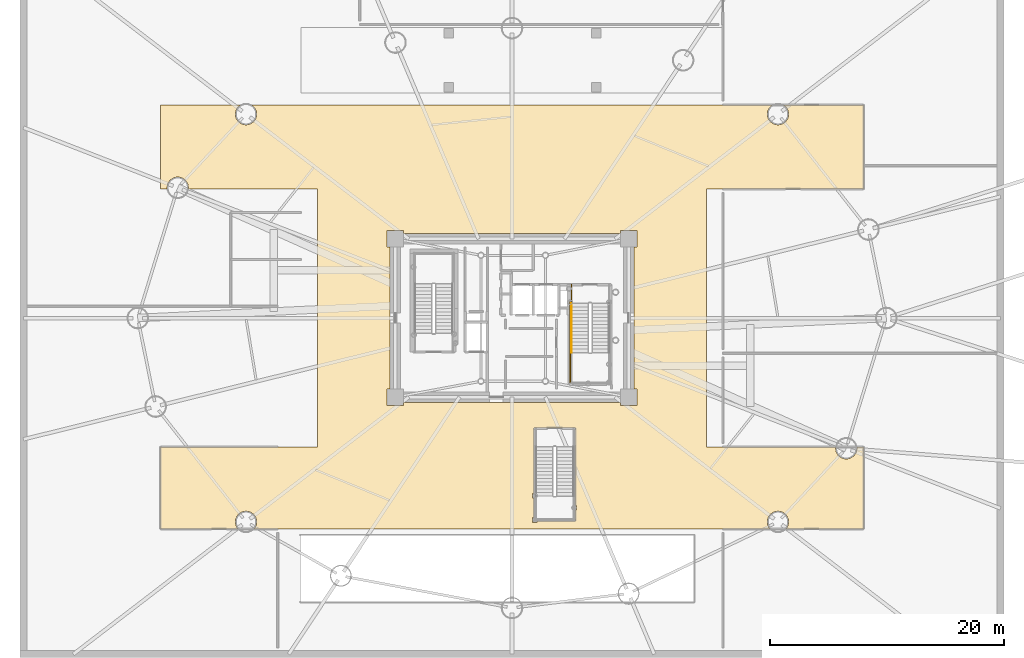
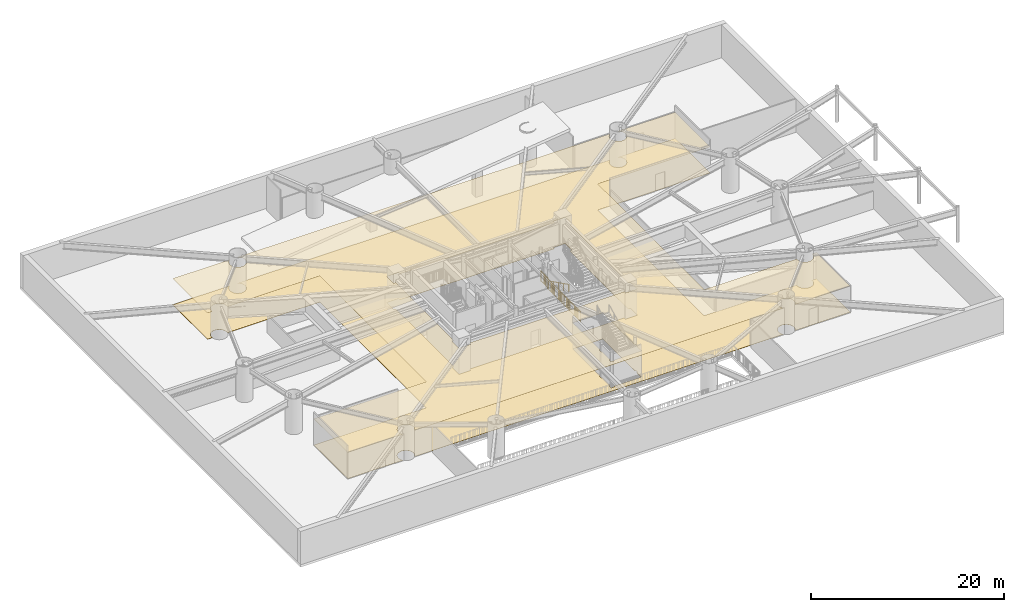
# One storey, part 18 of 21: 3 railings, 2 coverings.
"""IFC4 building model written with IfcOpenShell, lengths in metres."""

import ifcopenshell
import ifcopenshell.guid

model = None  # the IFC model being written
_history = None  # IfcOwnerHistory: only IFC2X3 demands one
_inside = {}  # id of a spatial element -> (the spatial element, [elements in it])
_under = {}  # id of a project, library or spatial element -> (it, [spatial elements below it])
_declared = {}  # id of a project -> (the project, [libraries it declares])
_typed = {}  # id of a type object -> (the type object, [elements of that type])
_made_of = {}  # id of a material, layer set ... -> (it, [elements and type objects made of it])


def new_model(schema):
    """Start an empty IFC model of exactly this schema.

    Asked for "IFC4X3", IfcOpenShell would pick the latest addendum, in which some entities
    have other attributes; the version numbers below select the first issue.
    IFC2X3 requires an IfcOwnerHistory on every rooted entity: one is made here for all.
    """
    global model, _history
    if schema == "IFC4X3":
        model = ifcopenshell.file(schema_version=(4, 3, 0, 0))
    else:
        model = ifcopenshell.file(schema=schema)
    _inside.clear()
    _under.clear()
    _declared.clear()
    _typed.clear()
    _made_of.clear()
    _history = None
    if model.schema == "IFC2X3":
        org = make("IfcOrganization", Name="unknown")
        user = make(
            "IfcPersonAndOrganization",
            ThePerson=make("IfcPerson", FamilyName="unknown"),
            TheOrganization=org,
        )
        app = make(
            "IfcApplication",
            ApplicationDeveloper=org,
            Version="unknown",
            ApplicationFullName="unknown",
            ApplicationIdentifier="unknown",
        )
        _history = make(
            "IfcOwnerHistory",
            OwningUser=user,
            OwningApplication=app,
            ChangeAction="ADDED",
            CreationDate=0,
        )
    return model


def make(cls, **values):
    """One entity of the class cls with the attributes given. An attribute that is None is left unset."""
    return model.create_entity(
        cls, **{name: value for name, value in values.items() if value is not None}
    )


def rooted(cls, **values):
    """An entity with a GlobalId (a new one), such as an element, a storey or a relation."""
    return make(cls, GlobalId=ifcopenshell.guid.new(), OwnerHistory=_history, **values)


def si_unit(unit_type, name, prefix=None):
    """IfcSIUnit, for example si_unit("LENGTHUNIT", "METRE", prefix="MILLI")."""
    return make("IfcSIUnit", UnitType=unit_type, Prefix=prefix, Name=name)


def assignment(units):
    """IfcUnitAssignment: the units of a project."""
    return None if units is None else make("IfcUnitAssignment", Units=units)


def point(xyz):
    """IfcCartesianPoint."""
    return None if xyz is None else make("IfcCartesianPoint", Coordinates=xyz)


def direction(xyz):
    """IfcDirection."""
    return None if xyz is None else make("IfcDirection", DirectionRatios=xyz)


def frame(location, z_axis=None, x_axis=None):
    """IfcAxis2Placement3D, a coordinate frame: its origin and axes. An axis left out is left unset."""
    return make(
        "IfcAxis2Placement3D",
        Location=point(location),
        Axis=direction(z_axis),
        RefDirection=direction(x_axis),
    )


def frame_2d(location, x_axis=None):
    """IfcAxis2Placement2D, a coordinate frame in the plane: its origin and x axis."""
    return make(
        "IfcAxis2Placement2D", Location=point(location), RefDirection=direction(x_axis)
    )


def origin():
    """The frame at (0, 0, 0) with its axes left unset."""
    return frame((0.0, 0.0, 0.0))


def origin_2d():
    """The frame at (0, 0) in the plane with its x axis left unset."""
    return frame_2d((0.0, 0.0))


def place(relative_to, where):
    """IfcLocalPlacement: puts the frame where relative to a parent placement (None: the world)."""
    return make(
        "IfcLocalPlacement", PlacementRelTo=relative_to, RelativePlacement=where
    )


def context(
    kind, dimensions, precision=None, world=None, true_north=None, identifier=None
):
    """IfcGeometricRepresentationContext, for example the 3D "Model" context."""
    return make(
        "IfcGeometricRepresentationContext",
        ContextIdentifier=identifier,
        ContextType=kind,
        CoordinateSpaceDimension=dimensions,
        Precision=precision,
        WorldCoordinateSystem=world,
        TrueNorth=true_north,
    )


def subcontext(parent, identifier, kind, view, scale=None):
    """IfcGeometricRepresentationSubContext, for example "Body" below "Model"."""
    return make(
        "IfcGeometricRepresentationSubContext",
        ContextIdentifier=identifier,
        ContextType=kind,
        ParentContext=parent,
        TargetScale=scale,
        TargetView=view,
    )


def project(units=None, contexts=None):
    """IfcProject with its units and contexts."""
    return rooted(
        "IfcProject",
        Name="project",
        RepresentationContexts=contexts,
        UnitsInContext=assignment(units),
    )


def spatial(cls, under=None, at=None, **own):
    """A site, building, storey or space (cls), placed at a placement, below another one or the project."""
    s = rooted(cls, ObjectPlacement=at, **own)
    if under is not None:
        _under.setdefault(under.id(), (under, []))[1].append(s)
    return s


def polyline(points):
    """IfcPolyline through the points."""
    return make("IfcPolyline", Points=[point(p) for p in points])


def profile(cls, at=None, kind="AREA", **sizes):
    """A parametric profile (cls). Its sizes go by their IFC names, for example OverallWidth=200.0."""
    return make(cls, ProfileType=kind, Position=at, **sizes)


def rectangle(**sizes):
    """IfcRectangleProfileDef."""
    return profile("IfcRectangleProfileDef", **sizes)


def outline(outer, holes=None, kind="AREA"):
    """IfcArbitraryClosedProfileDef: a profile drawn as a closed curve; with holes, ...WithVoids."""
    if holes is None:
        return make("IfcArbitraryClosedProfileDef", ProfileType=kind, OuterCurve=outer)
    return make(
        "IfcArbitraryProfileDefWithVoids",
        ProfileType=kind,
        OuterCurve=outer,
        InnerCurves=holes,
    )


def extrude(swept, where, along, depth):
    """IfcExtrudedAreaSolid: the profile swept, set in the frame where, extruded along a direction by depth."""
    return make(
        "IfcExtrudedAreaSolid",
        SweptArea=swept,
        Position=where,
        ExtrudedDirection=direction(along),
        Depth=depth,
    )


def shape(context_of_items, identifier, shape_type, items):
    """IfcShapeRepresentation: the items that make up one representation, for example the "Body"."""
    return make(
        "IfcShapeRepresentation",
        ContextOfItems=context_of_items,
        RepresentationIdentifier=identifier,
        RepresentationType=shape_type,
        Items=items,
    )


def source(mapping_origin, context_of_items, identifier, shape_type, items):
    """IfcRepresentationMap: a shape defined once, which mapped items show again and again."""
    return make(
        "IfcRepresentationMap",
        MappingOrigin=mapping_origin,
        MappedRepresentation=shape(context_of_items, identifier, shape_type, items),
    )


def transform(
    local_origin,
    x_axis=None,
    y_axis=None,
    z_axis=None,
    scale=None,
    scale2=None,
    scale3=None,
    uniform=True,
):
    """IfcCartesianTransformationOperator3D, or its non-uniform kind. x_axis, y_axis, z_axis: its Axis1, 2, 3."""
    if uniform:
        return make(
            "IfcCartesianTransformationOperator3D",
            Axis1=direction(x_axis),
            Axis2=direction(y_axis),
            LocalOrigin=point(local_origin),
            Scale=scale,
            Axis3=direction(z_axis),
        )
    return make(
        "IfcCartesianTransformationOperator3DnonUniform",
        Axis1=direction(x_axis),
        Axis2=direction(y_axis),
        LocalOrigin=point(local_origin),
        Scale=scale,
        Axis3=direction(z_axis),
        Scale2=scale2,
        Scale3=scale3,
    )


def mapped(mapping_source, mapping_target):
    """IfcMappedItem: shows the shape of a source again, moved by a transform."""
    return make(
        "IfcMappedItem", MappingSource=mapping_source, MappingTarget=mapping_target
    )


def material(Name=None, Category=None):
    """IfcMaterial."""
    return make("IfcMaterial", Name=Name, Category=Category)


def layer(
    of_material, thickness, ventilated=None, Name=None, Category=None, Priority=None
):
    """IfcMaterialLayer: one layer of a wall or slab, of a material (None: an air gap)."""
    return make(
        "IfcMaterialLayer",
        Material=of_material,
        LayerThickness=thickness,
        IsVentilated=ventilated,
        Name=Name,
        Category=Category,
        Priority=Priority,
    )


def layer_set(layers, Name=None):
    """IfcMaterialLayerSet."""
    return make("IfcMaterialLayerSet", MaterialLayers=layers, LayerSetName=Name)


def made_of(thing, what):
    """Note that an element or type object is made of a material, layer set ...; save() writes the relation."""
    if what is not None:
        _made_of.setdefault(what.id(), (what, []))[1].append(thing)
    return thing


def type_object(cls, material=None, **own):
    """A type object (cls), such as IfcWallType, which elements share."""
    return made_of(rooted(cls, **own), material)


def element(
    cls,
    number,
    at=None,
    inside=None,
    cuts=None,
    type_object=None,
    material=None,
    context=None,
    identifier="Body",
    shape_type=None,
    held_by="IfcProductDefinitionShape",
    body=None,
    shapes=None,
    **own,
):
    """One element of the class cls, such as IfcWall. Its Tag is "e" and its number.

    at: its placement. inside: the storey or other place that contains it. cuts: it is an
    opening in that element (IfcRelVoidsElement). A single representation is given by context,
    identifier, shape_type and body (its items); several are given by shapes. held_by: the class
    of the entity that holds the representations. save() writes the other relations.
    """
    e = rooted(cls, Tag="e%d" % number, ObjectPlacement=at, **own)
    if body is not None:
        shapes = [shape(context, identifier, shape_type, body)]
    if shapes is not None:
        e.Representation = make(held_by, Representations=shapes)
    if inside is not None:
        _inside.setdefault(inside.id(), (inside, []))[1].append(e)
    if cuts is not None:
        rooted(
            "IfcRelVoidsElement", RelatingBuildingElement=cuts, RelatedOpeningElement=e
        )
    if type_object is not None:
        _typed.setdefault(type_object.id(), (type_object, []))[1].append(e)
    return made_of(e, material)


def aggregate(whole, parts):
    """IfcRelAggregates: a whole, such as a stair, and the parts it consists of."""
    return rooted("IfcRelAggregates", RelatingObject=whole, RelatedObjects=parts)


def save(model, path):
    """Write the relations noted so far, then the file.

    IfcRelAggregates (storeys below a building ...), IfcRelContainedInSpatialStructure (elements
    in a storey), IfcRelDefinesByType, IfcRelAssociatesMaterial and IfcRelDeclares: one each for
    every whole, place, type object, material and project.
    """
    for whole, parts in _under.values():
        aggregate(whole, parts)
    for where, things in _inside.values():
        rooted(
            "IfcRelContainedInSpatialStructure",
            RelatedElements=things,
            RelatingStructure=where,
        )
    for kind, things in _typed.values():
        rooted("IfcRelDefinesByType", RelatedObjects=things, RelatingType=kind)
    for what, things in _made_of.values():
        rooted("IfcRelAssociatesMaterial", RelatedObjects=things, RelatingMaterial=what)
    for by, libraries in _declared.values():
        rooted("IfcRelDeclares", RelatingContext=by, RelatedDefinitions=libraries)
    model.write(path)


model = new_model("IFC4")

# Units and contexts
model_context = context("Model", 3, precision=1e-05, world=origin(), true_north=direction((0.0, 1.0)))
body_context = subcontext(model_context, "Body", "Model", "MODEL_VIEW")
ifc_project = project(units=[si_unit("LENGTHUNIT", "METRE"), si_unit("AREAUNIT", "SQUARE_METRE"), si_unit("VOLUMEUNIT", "CUBIC_METRE"), si_unit("PLANEANGLEUNIT", "RADIAN"), si_unit("MASSUNIT", "GRAM", prefix="KILO")], contexts=[model_context])

# Site, building, storey
site_placement = place(None, origin())
site = spatial("IfcSite", under=ifc_project, at=site_placement, CompositionType="ELEMENT")
building_placement = place(site_placement, origin())
building = spatial("IfcBuilding", under=site, at=building_placement, Name="Linh Dai School and Residence Tower", CompositionType="ELEMENT")
storey_placement = place(building_placement, frame((0.0, 0.0, -4.5)))
storey = spatial("IfcBuildingStorey", under=building, at=storey_placement, Name="B01", CompositionType="ELEMENT", Elevation=-4.5)

# Coverings
ifc_material_1 = material(Name="Mineral Fibre Acoustic Suspended Ceiling", Category="masonry")
ifc_layer_1 = layer(ifc_material_1, 0.02001953125)
ifc_layer_set_1 = layer_set([ifc_layer_1], Name="Mineral Fibre Acoustic Suspended Ceiling")
covering_type_1 = type_object("IfcCoveringType", Name="COV-CEIL-AC-20", PredefinedType="CEILING", material=ifc_layer_set_1)
covering_1_placement = place(storey_placement, frame((0.0, 0.0, 3.300048828125)))
element("IfcCovering", 1, at=covering_1_placement, inside=storey, type_object=covering_type_1, Name="B01 Two-Way Basement Car Park Drive Aisle and Parking Loop Suspended Ceiling", PredefinedType="CEILING", context=body_context, shape_type="SweptSolid", body=[
    extrude(outline(polyline([(12.851318359375, 45.199951171875), (12.64990234375, 45.04541015625), (12.5048828125, 44.856689453125), (12.413818359375, 44.63671875), (12.3828125, 44.400634765625), (12.413818359375, 44.16455078125), (12.5048828125, 43.944580078125), (12.64990234375, 43.755859375), (12.8388671875, 43.61083984375), (13.05859375, 43.519775390625), (13.294921875, 43.488525390625), (13.53076171875, 43.519775390625), (13.750732421875, 43.61083984375), (13.939697265625, 43.755859375), (14.084716796875, 43.944580078125), (14.17578125, 44.16455078125), (14.206787109375, 44.400634765625), (14.17578125, 44.63671875), (14.084716796875, 44.856689453125), (13.939697265625, 45.04541015625), (13.73828125, 45.199951171875), (58.26171875, 45.199951171875), (58.060302734375, 45.04541015625), (57.915283203125, 44.856689453125), (57.82421875, 44.63671875), (57.793212890625, 44.400634765625), (57.82421875, 44.16455078125), (57.915283203125, 43.944580078125), (58.060302734375, 43.755859375), (58.249267578125, 43.61083984375), (58.46923828125, 43.519775390625), (58.705078125, 43.488525390625), (58.94140625, 43.519775390625), (59.1611328125, 43.61083984375), (59.35009765625, 43.755859375), (59.4951171875, 43.944580078125), (59.586181640625, 44.16455078125), (59.6171875, 44.400634765625), (59.586181640625, 44.63671875), (59.4951171875, 44.856689453125), (59.35009765625, 45.04541015625), (59.148681640625, 45.199951171875), (66.0, 45.199951171875), (66.0, 38.0), (52.60009765625, 38.0), (52.60009765625, 16.0), (63.6376953125, 16.0), (63.62158203125, 15.8779296875), (63.652587890625, 15.641845703125), (63.743896484375, 15.421875), (63.888916015625, 15.233154296875), (64.07763671875, 15.088134765625), (64.297607421875, 14.9970703125), (64.53369140625, 14.9658203125), (64.769775390625, 14.9970703125), (64.98974609375, 15.088134765625), (65.178466796875, 15.233154296875), (65.323486328125, 15.421875), (65.41455078125, 15.641845703125), (65.44580078125, 15.8779296875), (65.4296875, 16.0), (66.0, 16.0), (66.0, 9.0), (59.385009765625, 9.0), (59.4951171875, 9.143310546875), (59.586181640625, 9.36328125), (59.6171875, 9.599365234375), (59.586181640625, 9.83544921875), (59.4951171875, 10.055419921875), (59.35009765625, 10.244140625), (59.1611328125, 10.38916015625), (58.94140625, 10.480224609375), (58.705078125, 10.511474609375), (58.46923828125, 10.480224609375), (58.249267578125, 10.38916015625), (58.060302734375, 10.244140625), (57.915283203125, 10.055419921875), (57.82421875, 9.83544921875), (57.793212890625, 9.599365234375), (57.82421875, 9.36328125), (57.915283203125, 9.143310546875), (58.025390625, 9.0), (13.974609375, 9.0), (14.084716796875, 9.143310546875), (14.17578125, 9.36328125), (14.206787109375, 9.599365234375), (14.17578125, 9.83544921875), (14.084716796875, 10.055419921875), (13.939697265625, 10.244140625), (13.750732421875, 10.38916015625), (13.53076171875, 10.480224609375), (13.294921875, 10.511474609375), (13.05859375, 10.480224609375), (12.8388671875, 10.38916015625), (12.64990234375, 10.244140625), (12.5048828125, 10.055419921875), (12.413818359375, 9.83544921875), (12.3828125, 9.599365234375), (12.413818359375, 9.36328125), (12.5048828125, 9.143310546875), (12.614990234375, 9.0), (6.0, 9.0), (6.0, 16.0), (19.39990234375, 16.0), (19.39990234375, 38.0), (8.3623046875, 38.0), (8.37841796875, 38.1220703125), (8.347412109375, 38.358154296875), (8.256103515625, 38.578125), (8.111083984375, 38.766845703125), (7.92236328125, 38.911865234375), (7.702392578125, 39.0029296875), (7.46630859375, 39.0341796875), (7.230224609375, 39.0029296875), (7.01025390625, 38.911865234375), (6.821533203125, 38.766845703125), (6.676513671875, 38.578125), (6.58544921875, 38.358154296875), (6.55419921875, 38.1220703125), (6.5703125, 38.0), (6.0, 38.0), (6.0, 45.199951171875), (12.851318359375, 45.199951171875)]), holes=[polyline([(45.25, 19.800048828125), (45.25, 19.550048828125), (46.64990234375, 19.550048828125), (46.64990234375, 20.949951171875), (46.39990234375, 20.949951171875), (46.39990234375, 33.050048828125), (46.64990234375, 33.050048828125), (46.64990234375, 34.449951171875), (45.25, 34.449951171875), (45.25, 34.199951171875), (26.75, 34.199951171875), (26.75, 34.449951171875), (25.35009765625, 34.449951171875), (25.35009765625, 33.050048828125), (25.60009765625, 33.050048828125), (25.60009765625, 20.949951171875), (25.35009765625, 20.949951171875), (25.35009765625, 19.550048828125), (26.75, 19.550048828125), (26.75, 19.800048828125), (45.25, 19.800048828125)]), polyline([(37.8798828125, 17.60009765625), (37.8798828125, 12.023193359375), (37.746826171875, 12.023193359375), (37.746826171875, 11.61669921875), (37.8798828125, 11.61669921875), (37.8798828125, 9.953125), (37.746826171875, 9.953125), (37.746826171875, 9.546875), (38.1533203125, 9.546875), (38.1533203125, 9.679931640625), (41.419921875, 9.679931640625), (41.419921875, 10.5966796875), (41.523193359375, 10.5966796875), (41.523193359375, 11.003173828125), (41.419921875, 11.003173828125), (41.419921875, 17.60009765625), (37.8798828125, 17.60009765625)])]), origin(), (0.0, 0.0, 1.0), 0.02001953125),
])
ifc_material_2 = material(Name="Polished Terrazzo Floor Finish", Category="masonry")
ifc_layer_2 = layer(ifc_material_2, 0.02490234375)
ifc_layer_set_2 = layer_set([ifc_layer_2], Name="Polished Terrazzo Floor Finish")
covering_type_2 = type_object("IfcCoveringType", Name="COV-FLR-TRZ-25", PredefinedType="FLOORING", material=ifc_layer_set_2)
covering_2_placement = place(storey_placement, origin())
element("IfcCovering", 2, at=covering_2_placement, inside=storey, type_object=covering_type_2, Name="B01 Two-Way Basement Car Park Drive Aisle and Parking Loop Floor Finish", PredefinedType="FLOORING", context=body_context, shape_type="SweptSolid", body=[
    extrude(outline(polyline([(12.851318359375, 45.199951171875), (12.64990234375, 45.04541015625), (12.5048828125, 44.856689453125), (12.413818359375, 44.63671875), (12.3828125, 44.400634765625), (12.413818359375, 44.16455078125), (12.5048828125, 43.944580078125), (12.64990234375, 43.755859375), (12.8388671875, 43.61083984375), (13.05859375, 43.519775390625), (13.294921875, 43.488525390625), (13.53076171875, 43.519775390625), (13.750732421875, 43.61083984375), (13.939697265625, 43.755859375), (14.084716796875, 43.944580078125), (14.17578125, 44.16455078125), (14.206787109375, 44.400634765625), (14.17578125, 44.63671875), (14.084716796875, 44.856689453125), (13.939697265625, 45.04541015625), (13.73828125, 45.199951171875), (58.26171875, 45.199951171875), (58.060302734375, 45.04541015625), (57.915283203125, 44.856689453125), (57.82421875, 44.63671875), (57.793212890625, 44.400634765625), (57.82421875, 44.16455078125), (57.915283203125, 43.944580078125), (58.060302734375, 43.755859375), (58.249267578125, 43.61083984375), (58.46923828125, 43.519775390625), (58.705078125, 43.488525390625), (58.94140625, 43.519775390625), (59.1611328125, 43.61083984375), (59.35009765625, 43.755859375), (59.4951171875, 43.944580078125), (59.586181640625, 44.16455078125), (59.6171875, 44.400634765625), (59.586181640625, 44.63671875), (59.4951171875, 44.856689453125), (59.35009765625, 45.04541015625), (59.148681640625, 45.199951171875), (66.0, 45.199951171875), (66.0, 38.0), (52.60009765625, 38.0), (52.60009765625, 16.0), (63.6376953125, 16.0), (63.62158203125, 15.8779296875), (63.652587890625, 15.641845703125), (63.743896484375, 15.421875), (63.888916015625, 15.233154296875), (64.07763671875, 15.088134765625), (64.297607421875, 14.9970703125), (64.53369140625, 14.9658203125), (64.769775390625, 14.9970703125), (64.98974609375, 15.088134765625), (65.178466796875, 15.233154296875), (65.323486328125, 15.421875), (65.41455078125, 15.641845703125), (65.44580078125, 15.8779296875), (65.4296875, 16.0), (66.0, 16.0), (66.0, 9.0), (59.385009765625, 9.0), (59.4951171875, 9.143310546875), (59.586181640625, 9.36328125), (59.6171875, 9.599365234375), (59.586181640625, 9.83544921875), (59.4951171875, 10.055419921875), (59.35009765625, 10.244140625), (59.1611328125, 10.38916015625), (58.94140625, 10.480224609375), (58.705078125, 10.511474609375), (58.46923828125, 10.480224609375), (58.249267578125, 10.38916015625), (58.060302734375, 10.244140625), (57.915283203125, 10.055419921875), (57.82421875, 9.83544921875), (57.793212890625, 9.599365234375), (57.82421875, 9.36328125), (57.915283203125, 9.143310546875), (58.025390625, 9.0), (13.974609375, 9.0), (14.084716796875, 9.143310546875), (14.17578125, 9.36328125), (14.206787109375, 9.599365234375), (14.17578125, 9.83544921875), (14.084716796875, 10.055419921875), (13.939697265625, 10.244140625), (13.750732421875, 10.38916015625), (13.53076171875, 10.480224609375), (13.294921875, 10.511474609375), (13.05859375, 10.480224609375), (12.8388671875, 10.38916015625), (12.64990234375, 10.244140625), (12.5048828125, 10.055419921875), (12.413818359375, 9.83544921875), (12.3828125, 9.599365234375), (12.413818359375, 9.36328125), (12.5048828125, 9.143310546875), (12.614990234375, 9.0), (6.0, 9.0), (6.0, 16.0), (19.39990234375, 16.0), (19.39990234375, 38.0), (8.3623046875, 38.0), (8.37841796875, 38.1220703125), (8.347412109375, 38.358154296875), (8.256103515625, 38.578125), (8.111083984375, 38.766845703125), (7.92236328125, 38.911865234375), (7.702392578125, 39.0029296875), (7.46630859375, 39.0341796875), (7.230224609375, 39.0029296875), (7.01025390625, 38.911865234375), (6.821533203125, 38.766845703125), (6.676513671875, 38.578125), (6.58544921875, 38.358154296875), (6.55419921875, 38.1220703125), (6.5703125, 38.0), (6.0, 38.0), (6.0, 45.199951171875), (12.851318359375, 45.199951171875)]), holes=[polyline([(45.25, 19.800048828125), (45.25, 19.550048828125), (46.64990234375, 19.550048828125), (46.64990234375, 20.949951171875), (46.39990234375, 20.949951171875), (46.39990234375, 33.050048828125), (46.64990234375, 33.050048828125), (46.64990234375, 34.449951171875), (45.25, 34.449951171875), (45.25, 34.199951171875), (26.75, 34.199951171875), (26.75, 34.449951171875), (25.35009765625, 34.449951171875), (25.35009765625, 33.050048828125), (25.60009765625, 33.050048828125), (25.60009765625, 20.949951171875), (25.35009765625, 20.949951171875), (25.35009765625, 19.550048828125), (26.75, 19.550048828125), (26.75, 19.800048828125), (45.25, 19.800048828125)]), polyline([(37.8798828125, 17.60009765625), (37.8798828125, 12.023193359375), (37.746826171875, 12.023193359375), (37.746826171875, 11.61669921875), (37.8798828125, 11.61669921875), (37.8798828125, 9.953125), (37.746826171875, 9.953125), (37.746826171875, 9.546875), (38.1533203125, 9.546875), (38.1533203125, 9.679931640625), (41.419921875, 9.679931640625), (41.419921875, 10.5966796875), (41.523193359375, 10.5966796875), (41.523193359375, 11.003173828125), (41.419921875, 11.003173828125), (41.419921875, 17.60009765625), (37.8798828125, 17.60009765625)])]), origin(), (0.0, 0.0, 1.0), 0.02001953125),
])

# Railings
ifc_material_3 = material(Name="Brushed Stainless Steel Handrail", Category="steel")
railing_type_1 = type_object("IfcRailingType", Name="RL-ST-HANDRAIL-900", PredefinedType="HANDRAIL", material=ifc_material_3)
shared_shape_1 = source(origin(), body_context, "Body", "SweptSolid", [
    extrude(rectangle(XDim=0.048095703125, YDim=0.048095703125, at=origin_2d()), frame((0.0, 0.0, 0.8759765625), z_axis=(0.0, -0.894416792377, 0.447234392142), x_axis=(1.0, 0.0, 0.0)), (0.0, 0.0, 1.0), 4.69580078125),
    extrude(rectangle(XDim=0.0419921875, YDim=0.0419921875, at=origin_2d()), origin(), (0.0, 0.0, 1.0), 0.8759765625),
    extrude(rectangle(XDim=0.0419921875, YDim=0.0419921875, at=origin_2d()), frame((0.0, -1.050048828125, 0.52490234375)), (0.0, 0.0, 1.0), 0.8759765625),
    extrude(rectangle(XDim=0.0419921875, YDim=0.0419921875, at=origin_2d()), frame((0.0, -2.10009765625, 1.050048828125)), (0.0, 0.0, 1.0), 0.8759765625),
    extrude(rectangle(XDim=0.0419921875, YDim=0.0419921875, at=origin_2d()), frame((0.0, -3.14990234375, 1.5751953125)), (0.0, 0.0, 1.0), 0.8759765625),
    extrude(rectangle(XDim=0.0419921875, YDim=0.0419921875, at=origin_2d()), frame((0.0, -4.199951171875, 2.10009765625)), (0.0, 0.0, 1.0), 0.8759765625),
])
railing_1_placement = place(storey_placement, frame((41.070068359375, 28.25, 0.14990234375)))
element("IfcRailing", 3, at=railing_1_placement, inside=storey, type_object=railing_type_1, Name="B01 ST2 stair handrail 1", PredefinedType="HANDRAIL", context=body_context, shape_type="MappedRepresentation", body=[
    mapped(shared_shape_1, transform((0.0, 0.0, 0.0), x_axis=(1.0, 0.0, 0.0), y_axis=(0.0, 1.0, 0.0), z_axis=(0.0, 0.0, 1.0), scale=1.0)),
])
ifc_material_4 = material(Name="Structural Steel S355JR", Category="steel")
railing_type_2 = type_object("IfcRailingType", Name="RL-ST-GUARD-1400", PredefinedType="GUARDRAIL", material=ifc_material_4)
shared_shape_2 = source(origin(), body_context, "Body", "SweptSolid", [
    extrude(rectangle(XDim=0.048095703125, YDim=0.048095703125, at=origin_2d()), frame((0.0, 0.0, 1.3759765625), z_axis=(0.0, -1.0, 0.0), x_axis=(1.0, 0.0, 0.0)), (0.0, 0.0, 1.0), 1.60009765625),
    extrude(rectangle(XDim=0.048095703125, YDim=0.048095703125, at=origin_2d()), frame((0.0, 0.0, 0.10009765625), z_axis=(0.0, -1.0, 0.0), x_axis=(1.0, 0.0, 0.0)), (0.0, 0.0, 1.0), 1.60009765625),
    extrude(rectangle(XDim=0.030029296875, YDim=0.030029296875, at=origin_2d()), frame((0.0, 0.0, 1.239990234375), z_axis=(0.0, -1.0, 0.0), x_axis=(1.0, 0.0, 0.0)), (0.0, 0.0, 1.0), 1.60009765625),
    extrude(rectangle(XDim=0.02001953125, YDim=0.02001953125, at=origin_2d()), frame((0.0, -0.09423828125, 0.10009765625)), (0.0, 0.0, 1.0), 1.251708984375),
    extrude(rectangle(XDim=0.02001953125, YDim=0.02001953125, at=origin_2d()), frame((0.0, -0.188232421875, 0.10009765625)), (0.0, 0.0, 1.0), 1.251708984375),
    extrude(rectangle(XDim=0.02001953125, YDim=0.02001953125, at=origin_2d()), frame((0.0, -0.282470703125, 0.10009765625)), (0.0, 0.0, 1.0), 1.251708984375),
    extrude(rectangle(XDim=0.02001953125, YDim=0.02001953125, at=origin_2d()), frame((0.0, -0.37646484375, 0.10009765625)), (0.0, 0.0, 1.0), 1.251708984375),
    extrude(rectangle(XDim=0.02001953125, YDim=0.02001953125, at=origin_2d()), frame((0.0, -0.470703125, 0.10009765625)), (0.0, 0.0, 1.0), 1.251708984375),
    extrude(rectangle(XDim=0.02001953125, YDim=0.02001953125, at=origin_2d()), frame((0.0, -0.564697265625, 0.10009765625)), (0.0, 0.0, 1.0), 1.251708984375),
    extrude(rectangle(XDim=0.02001953125, YDim=0.02001953125, at=origin_2d()), frame((0.0, -0.658935546875, 0.10009765625)), (0.0, 0.0, 1.0), 1.251708984375),
    extrude(rectangle(XDim=0.02001953125, YDim=0.02001953125, at=origin_2d()), frame((0.0, -0.7529296875, 0.10009765625)), (0.0, 0.0, 1.0), 1.251708984375),
    extrude(rectangle(XDim=0.02001953125, YDim=0.02001953125, at=origin_2d()), frame((0.0, -0.84716796875, 0.10009765625)), (0.0, 0.0, 1.0), 1.251708984375),
    extrude(rectangle(XDim=0.02001953125, YDim=0.02001953125, at=origin_2d()), frame((0.0, -0.941162109375, 0.10009765625)), (0.0, 0.0, 1.0), 1.251708984375),
    extrude(rectangle(XDim=0.02001953125, YDim=0.02001953125, at=origin_2d()), frame((0.0, -1.035400390625, 0.10009765625)), (0.0, 0.0, 1.0), 1.251708984375),
    extrude(rectangle(XDim=0.02001953125, YDim=0.02001953125, at=origin_2d()), frame((0.0, -1.12939453125, 0.10009765625)), (0.0, 0.0, 1.0), 1.251708984375),
    extrude(rectangle(XDim=0.02001953125, YDim=0.02001953125, at=origin_2d()), frame((0.0, -1.2236328125, 0.10009765625)), (0.0, 0.0, 1.0), 1.251708984375),
    extrude(rectangle(XDim=0.02001953125, YDim=0.02001953125, at=origin_2d()), frame((0.0, -1.317626953125, 0.10009765625)), (0.0, 0.0, 1.0), 1.251708984375),
    extrude(rectangle(XDim=0.02001953125, YDim=0.02001953125, at=origin_2d()), frame((0.0, -1.411865234375, 0.10009765625)), (0.0, 0.0, 1.0), 1.251708984375),
    extrude(rectangle(XDim=0.02001953125, YDim=0.02001953125, at=origin_2d()), frame((0.0, -1.505859375, 0.10009765625)), (0.0, 0.0, 1.0), 1.251708984375),
    extrude(rectangle(XDim=0.0419921875, YDim=0.0419921875, at=origin_2d()), origin(), (0.0, 0.0, 1.0), 1.3759765625),
    extrude(rectangle(XDim=0.0419921875, YDim=0.0419921875, at=origin_2d()), frame((0.0, -0.800048828125, 0.0)), (0.0, 0.0, 1.0), 1.3759765625),
    extrude(rectangle(XDim=0.0419921875, YDim=0.0419921875, at=origin_2d()), frame((0.0, -1.60009765625, 0.0)), (0.0, 0.0, 1.0), 1.3759765625),
])
railing_2_placement = place(storey_placement, frame((41.070068359375, 29.85009765625, 0.0)))
element("IfcRailing", 4, at=railing_2_placement, inside=storey, type_object=railing_type_2, Name="B01 ST2 stair guard 8", PredefinedType="GUARDRAIL", context=body_context, shape_type="MappedRepresentation", body=[
    mapped(shared_shape_2, transform((0.0, 0.0, 0.0), x_axis=(1.0, 0.0, 0.0), y_axis=(0.0, 1.0, 0.0), z_axis=(0.0, 0.0, 1.0), scale=1.0)),
])
shared_shape_3 = source(origin(), body_context, "Body", "SweptSolid", [
    extrude(rectangle(XDim=0.048095703125, YDim=0.048095703125, at=origin_2d()), frame((0.0, 0.0, 1.3759765625), z_axis=(0.0, -1.0, 0.0), x_axis=(1.0, 0.0, 0.0)), (0.0, 0.0, 1.0), 7.0),
    extrude(rectangle(XDim=0.048095703125, YDim=0.048095703125, at=origin_2d()), frame((0.0, 0.0, 0.10009765625), z_axis=(0.0, -1.0, 0.0), x_axis=(1.0, 0.0, 0.0)), (0.0, 0.0, 1.0), 7.0),
    extrude(rectangle(XDim=0.030029296875, YDim=0.030029296875, at=origin_2d()), frame((0.0, 0.0, 1.239990234375), z_axis=(0.0, -1.0, 0.0), x_axis=(1.0, 0.0, 0.0)), (0.0, 0.0, 1.0), 7.0),
    extrude(rectangle(XDim=0.02001953125, YDim=0.02001953125, at=origin_2d()), frame((0.0, -0.09716796875, 0.10009765625)), (0.0, 0.0, 1.0), 1.251708984375),
    extrude(rectangle(XDim=0.02001953125, YDim=0.02001953125, at=origin_2d()), frame((0.0, -0.1943359375, 0.10009765625)), (0.0, 0.0, 1.0), 1.251708984375),
    extrude(rectangle(XDim=0.02001953125, YDim=0.02001953125, at=origin_2d()), frame((0.0, -0.291748046875, 0.10009765625)), (0.0, 0.0, 1.0), 1.251708984375),
    extrude(rectangle(XDim=0.02001953125, YDim=0.02001953125, at=origin_2d()), frame((0.0, -0.388916015625, 0.10009765625)), (0.0, 0.0, 1.0), 1.251708984375),
    extrude(rectangle(XDim=0.02001953125, YDim=0.02001953125, at=origin_2d()), frame((0.0, -0.486083984375, 0.10009765625)), (0.0, 0.0, 1.0), 1.251708984375),
    extrude(rectangle(XDim=0.02001953125, YDim=0.02001953125, at=origin_2d()), frame((0.0, -0.583251953125, 0.10009765625)), (0.0, 0.0, 1.0), 1.251708984375),
    extrude(rectangle(XDim=0.02001953125, YDim=0.02001953125, at=origin_2d()), frame((0.0, -0.6806640625, 0.10009765625)), (0.0, 0.0, 1.0), 1.251708984375),
    extrude(rectangle(XDim=0.02001953125, YDim=0.02001953125, at=origin_2d()), frame((0.0, -0.77783203125, 0.10009765625)), (0.0, 0.0, 1.0), 1.251708984375),
    extrude(rectangle(XDim=0.02001953125, YDim=0.02001953125, at=origin_2d()), frame((0.0, -0.875, 0.10009765625)), (0.0, 0.0, 1.0), 1.251708984375),
    extrude(rectangle(XDim=0.02001953125, YDim=0.02001953125, at=origin_2d()), frame((0.0, -0.97216796875, 0.10009765625)), (0.0, 0.0, 1.0), 1.251708984375),
    extrude(rectangle(XDim=0.02001953125, YDim=0.02001953125, at=origin_2d()), frame((0.0, -1.0693359375, 0.10009765625)), (0.0, 0.0, 1.0), 1.251708984375),
    extrude(rectangle(XDim=0.02001953125, YDim=0.02001953125, at=origin_2d()), frame((0.0, -1.263916015625, 0.10009765625)), (0.0, 0.0, 1.0), 1.251708984375),
    extrude(rectangle(XDim=0.02001953125, YDim=0.02001953125, at=origin_2d()), frame((0.0, -1.361083984375, 0.10009765625)), (0.0, 0.0, 1.0), 1.251708984375),
    extrude(rectangle(XDim=0.02001953125, YDim=0.02001953125, at=origin_2d()), frame((0.0, -1.458251953125, 0.10009765625)), (0.0, 0.0, 1.0), 1.251708984375),
    extrude(rectangle(XDim=0.02001953125, YDim=0.02001953125, at=origin_2d()), frame((0.0, -1.5556640625, 0.10009765625)), (0.0, 0.0, 1.0), 1.251708984375),
    extrude(rectangle(XDim=0.02001953125, YDim=0.02001953125, at=origin_2d()), frame((0.0, -1.65283203125, 0.10009765625)), (0.0, 0.0, 1.0), 1.251708984375),
    extrude(rectangle(XDim=0.02001953125, YDim=0.02001953125, at=origin_2d()), frame((0.0, -1.75, 0.10009765625)), (0.0, 0.0, 1.0), 1.251708984375),
    extrude(rectangle(XDim=0.02001953125, YDim=0.02001953125, at=origin_2d()), frame((0.0, -1.84716796875, 0.10009765625)), (0.0, 0.0, 1.0), 1.251708984375),
    extrude(rectangle(XDim=0.02001953125, YDim=0.02001953125, at=origin_2d()), frame((0.0, -1.9443359375, 0.10009765625)), (0.0, 0.0, 1.0), 1.251708984375),
    extrude(rectangle(XDim=0.02001953125, YDim=0.02001953125, at=origin_2d()), frame((0.0, -2.041748046875, 0.10009765625)), (0.0, 0.0, 1.0), 1.251708984375),
    extrude(rectangle(XDim=0.02001953125, YDim=0.02001953125, at=origin_2d()), frame((0.0, -2.138916015625, 0.10009765625)), (0.0, 0.0, 1.0), 1.251708984375),
    extrude(rectangle(XDim=0.02001953125, YDim=0.02001953125, at=origin_2d()), frame((0.0, -2.236083984375, 0.10009765625)), (0.0, 0.0, 1.0), 1.251708984375),
    extrude(rectangle(XDim=0.02001953125, YDim=0.02001953125, at=origin_2d()), frame((0.0, -2.4306640625, 0.10009765625)), (0.0, 0.0, 1.0), 1.251708984375),
    extrude(rectangle(XDim=0.02001953125, YDim=0.02001953125, at=origin_2d()), frame((0.0, -2.52783203125, 0.10009765625)), (0.0, 0.0, 1.0), 1.251708984375),
    extrude(rectangle(XDim=0.02001953125, YDim=0.02001953125, at=origin_2d()), frame((0.0, -2.625, 0.10009765625)), (0.0, 0.0, 1.0), 1.251708984375),
    extrude(rectangle(XDim=0.02001953125, YDim=0.02001953125, at=origin_2d()), frame((0.0, -2.72216796875, 0.10009765625)), (0.0, 0.0, 1.0), 1.251708984375),
    extrude(rectangle(XDim=0.02001953125, YDim=0.02001953125, at=origin_2d()), frame((0.0, -2.8193359375, 0.10009765625)), (0.0, 0.0, 1.0), 1.251708984375),
    extrude(rectangle(XDim=0.02001953125, YDim=0.02001953125, at=origin_2d()), frame((0.0, -2.916748046875, 0.10009765625)), (0.0, 0.0, 1.0), 1.251708984375),
    extrude(rectangle(XDim=0.02001953125, YDim=0.02001953125, at=origin_2d()), frame((0.0, -3.013916015625, 0.10009765625)), (0.0, 0.0, 1.0), 1.251708984375),
    extrude(rectangle(XDim=0.02001953125, YDim=0.02001953125, at=origin_2d()), frame((0.0, -3.111083984375, 0.10009765625)), (0.0, 0.0, 1.0), 1.251708984375),
    extrude(rectangle(XDim=0.02001953125, YDim=0.02001953125, at=origin_2d()), frame((0.0, -3.208251953125, 0.10009765625)), (0.0, 0.0, 1.0), 1.251708984375),
    extrude(rectangle(XDim=0.02001953125, YDim=0.02001953125, at=origin_2d()), frame((0.0, -3.3056640625, 0.10009765625)), (0.0, 0.0, 1.0), 1.251708984375),
    extrude(rectangle(XDim=0.02001953125, YDim=0.02001953125, at=origin_2d()), frame((0.0, -3.40283203125, 0.10009765625)), (0.0, 0.0, 1.0), 1.251708984375),
    extrude(rectangle(XDim=0.02001953125, YDim=0.02001953125, at=origin_2d()), frame((0.0, -3.59716796875, 0.10009765625)), (0.0, 0.0, 1.0), 1.251708984375),
    extrude(rectangle(XDim=0.02001953125, YDim=0.02001953125, at=origin_2d()), frame((0.0, -3.6943359375, 0.10009765625)), (0.0, 0.0, 1.0), 1.251708984375),
    extrude(rectangle(XDim=0.02001953125, YDim=0.02001953125, at=origin_2d()), frame((0.0, -3.791748046875, 0.10009765625)), (0.0, 0.0, 1.0), 1.251708984375),
    extrude(rectangle(XDim=0.02001953125, YDim=0.02001953125, at=origin_2d()), frame((0.0, -3.888916015625, 0.10009765625)), (0.0, 0.0, 1.0), 1.251708984375),
    extrude(rectangle(XDim=0.02001953125, YDim=0.02001953125, at=origin_2d()), frame((0.0, -3.986083984375, 0.10009765625)), (0.0, 0.0, 1.0), 1.251708984375),
    extrude(rectangle(XDim=0.02001953125, YDim=0.02001953125, at=origin_2d()), frame((0.0, -4.083251953125, 0.10009765625)), (0.0, 0.0, 1.0), 1.251708984375),
    extrude(rectangle(XDim=0.02001953125, YDim=0.02001953125, at=origin_2d()), frame((0.0, -4.1806640625, 0.10009765625)), (0.0, 0.0, 1.0), 1.251708984375),
    extrude(rectangle(XDim=0.02001953125, YDim=0.02001953125, at=origin_2d()), frame((0.0, -4.27783203125, 0.10009765625)), (0.0, 0.0, 1.0), 1.251708984375),
    extrude(rectangle(XDim=0.02001953125, YDim=0.02001953125, at=origin_2d()), frame((0.0, -4.375, 0.10009765625)), (0.0, 0.0, 1.0), 1.251708984375),
    extrude(rectangle(XDim=0.02001953125, YDim=0.02001953125, at=origin_2d()), frame((0.0, -4.47216796875, 0.10009765625)), (0.0, 0.0, 1.0), 1.251708984375),
    extrude(rectangle(XDim=0.02001953125, YDim=0.02001953125, at=origin_2d()), frame((0.0, -4.5693359375, 0.10009765625)), (0.0, 0.0, 1.0), 1.251708984375),
    extrude(rectangle(XDim=0.02001953125, YDim=0.02001953125, at=origin_2d()), frame((0.0, -4.763916015625, 0.10009765625)), (0.0, 0.0, 1.0), 1.251708984375),
    extrude(rectangle(XDim=0.02001953125, YDim=0.02001953125, at=origin_2d()), frame((0.0, -4.861083984375, 0.10009765625)), (0.0, 0.0, 1.0), 1.251708984375),
    extrude(rectangle(XDim=0.02001953125, YDim=0.02001953125, at=origin_2d()), frame((0.0, -4.958251953125, 0.10009765625)), (0.0, 0.0, 1.0), 1.251708984375),
    extrude(rectangle(XDim=0.02001953125, YDim=0.02001953125, at=origin_2d()), frame((0.0, -5.0556640625, 0.10009765625)), (0.0, 0.0, 1.0), 1.251708984375),
    extrude(rectangle(XDim=0.02001953125, YDim=0.02001953125, at=origin_2d()), frame((0.0, -5.15283203125, 0.10009765625)), (0.0, 0.0, 1.0), 1.251708984375),
    extrude(rectangle(XDim=0.02001953125, YDim=0.02001953125, at=origin_2d()), frame((0.0, -5.25, 0.10009765625)), (0.0, 0.0, 1.0), 1.251708984375),
    extrude(rectangle(XDim=0.02001953125, YDim=0.02001953125, at=origin_2d()), frame((0.0, -5.34716796875, 0.10009765625)), (0.0, 0.0, 1.0), 1.251708984375),
    extrude(rectangle(XDim=0.02001953125, YDim=0.02001953125, at=origin_2d()), frame((0.0, -5.4443359375, 0.10009765625)), (0.0, 0.0, 1.0), 1.251708984375),
    extrude(rectangle(XDim=0.02001953125, YDim=0.02001953125, at=origin_2d()), frame((0.0, -5.541748046875, 0.10009765625)), (0.0, 0.0, 1.0), 1.251708984375),
    extrude(rectangle(XDim=0.02001953125, YDim=0.02001953125, at=origin_2d()), frame((0.0, -5.638916015625, 0.10009765625)), (0.0, 0.0, 1.0), 1.251708984375),
    extrude(rectangle(XDim=0.02001953125, YDim=0.02001953125, at=origin_2d()), frame((0.0, -5.736083984375, 0.10009765625)), (0.0, 0.0, 1.0), 1.251708984375),
    extrude(rectangle(XDim=0.02001953125, YDim=0.02001953125, at=origin_2d()), frame((0.0, -5.9306640625, 0.10009765625)), (0.0, 0.0, 1.0), 1.251708984375),
    extrude(rectangle(XDim=0.02001953125, YDim=0.02001953125, at=origin_2d()), frame((0.0, -6.02783203125, 0.10009765625)), (0.0, 0.0, 1.0), 1.251708984375),
    extrude(rectangle(XDim=0.02001953125, YDim=0.02001953125, at=origin_2d()), frame((0.0, -6.125, 0.10009765625)), (0.0, 0.0, 1.0), 1.251708984375),
    extrude(rectangle(XDim=0.02001953125, YDim=0.02001953125, at=origin_2d()), frame((0.0, -6.22216796875, 0.10009765625)), (0.0, 0.0, 1.0), 1.251708984375),
    extrude(rectangle(XDim=0.02001953125, YDim=0.02001953125, at=origin_2d()), frame((0.0, -6.3193359375, 0.10009765625)), (0.0, 0.0, 1.0), 1.251708984375),
    extrude(rectangle(XDim=0.02001953125, YDim=0.02001953125, at=origin_2d()), frame((0.0, -6.416748046875, 0.10009765625)), (0.0, 0.0, 1.0), 1.251708984375),
    extrude(rectangle(XDim=0.02001953125, YDim=0.02001953125, at=origin_2d()), frame((0.0, -6.513916015625, 0.10009765625)), (0.0, 0.0, 1.0), 1.251708984375),
    extrude(rectangle(XDim=0.02001953125, YDim=0.02001953125, at=origin_2d()), frame((0.0, -6.611083984375, 0.10009765625)), (0.0, 0.0, 1.0), 1.251708984375),
    extrude(rectangle(XDim=0.02001953125, YDim=0.02001953125, at=origin_2d()), frame((0.0, -6.708251953125, 0.10009765625)), (0.0, 0.0, 1.0), 1.251708984375),
    extrude(rectangle(XDim=0.02001953125, YDim=0.02001953125, at=origin_2d()), frame((0.0, -6.8056640625, 0.10009765625)), (0.0, 0.0, 1.0), 1.251708984375),
    extrude(rectangle(XDim=0.02001953125, YDim=0.02001953125, at=origin_2d()), frame((0.0, -6.90283203125, 0.10009765625)), (0.0, 0.0, 1.0), 1.251708984375),
    extrude(rectangle(XDim=0.0419921875, YDim=0.0419921875, at=origin_2d()), origin(), (0.0, 0.0, 1.0), 1.3759765625),
    extrude(rectangle(XDim=0.0419921875, YDim=0.0419921875, at=origin_2d()), frame((0.0, -1.166748046875, 0.0)), (0.0, 0.0, 1.0), 1.3759765625),
    extrude(rectangle(XDim=0.0419921875, YDim=0.0419921875, at=origin_2d()), frame((0.0, -2.333251953125, 0.0)), (0.0, 0.0, 1.0), 1.3759765625),
    extrude(rectangle(XDim=0.0419921875, YDim=0.0419921875, at=origin_2d()), frame((0.0, -3.5, 0.0)), (0.0, 0.0, 1.0), 1.3759765625),
    extrude(rectangle(XDim=0.0419921875, YDim=0.0419921875, at=origin_2d()), frame((0.0, -4.666748046875, 0.0)), (0.0, 0.0, 1.0), 1.3759765625),
    extrude(rectangle(XDim=0.0419921875, YDim=0.0419921875, at=origin_2d()), frame((0.0, -5.833251953125, 0.0)), (0.0, 0.0, 1.0), 1.3759765625),
    extrude(rectangle(XDim=0.0419921875, YDim=0.0419921875, at=origin_2d()), frame((0.0, -7.0, 0.0)), (0.0, 0.0, 1.0), 1.3759765625),
])
railing_3_placement = place(storey_placement, frame((40.969970703125, 28.35009765625, 0.0)))
element("IfcRailing", 5, at=railing_3_placement, inside=storey, type_object=railing_type_2, Name="B01 ST2 stair guard 10", PredefinedType="GUARDRAIL", context=body_context, shape_type="MappedRepresentation", body=[
    mapped(shared_shape_3, transform((0.0, 0.0, 0.0), x_axis=(1.0, 0.0, 0.0), y_axis=(0.0, 1.0, 0.0), z_axis=(0.0, 0.0, 1.0), scale=1.0)),
])

save(model, "model.ifc")
